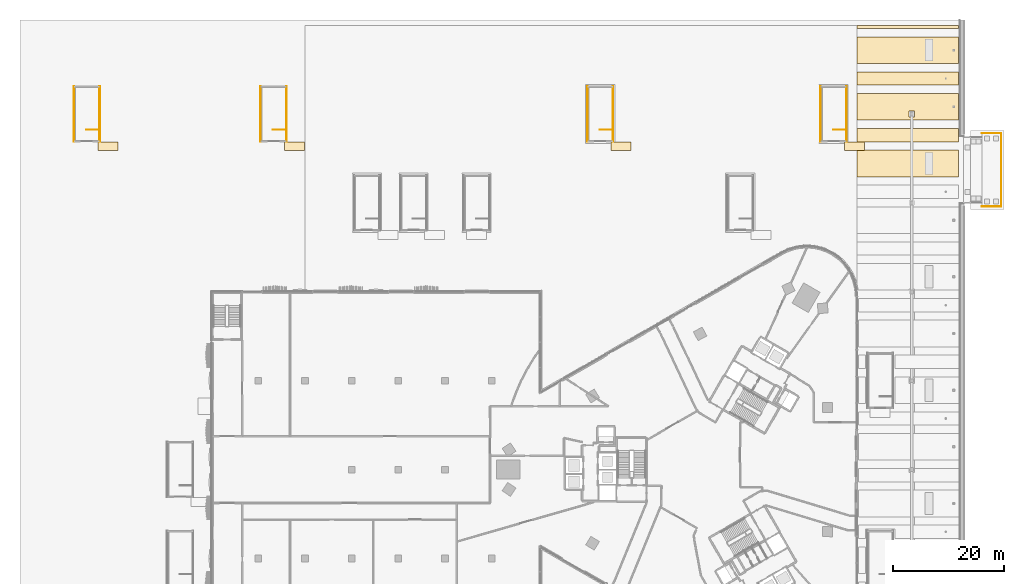
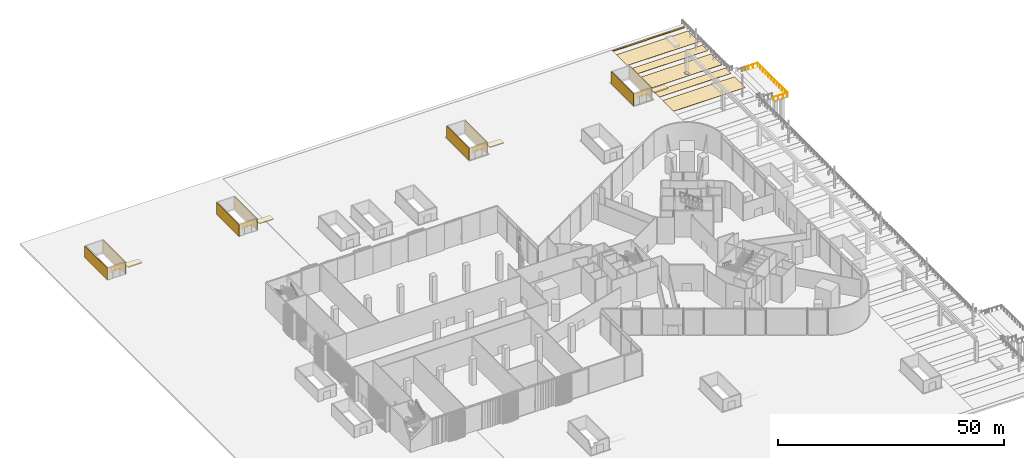
# One storey, part 39 of 41: 18 coverings, 5 railings.
"""IFC4 building model written with IfcOpenShell, lengths in metres."""

from ifc_helpers import new_model, si_unit, direction, frame, origin, origin_2d, place, context, subcontext, project, spatial, polyline, rectangle, circle, outline, extrude, material, layer, layer_set, type_object, element, save


model = new_model("IFC4")

# Units and contexts
model_context = context("Model", 3, precision=1e-05, world=origin(), true_north=direction((0.0, 1.0)))
body_context = subcontext(model_context, "Body", "Model", "MODEL_VIEW")
ifc_project = project(units=[si_unit("LENGTHUNIT", "METRE"), si_unit("AREAUNIT", "SQUARE_METRE"), si_unit("VOLUMEUNIT", "CUBIC_METRE"), si_unit("PLANEANGLEUNIT", "RADIAN"), si_unit("MASSUNIT", "GRAM", prefix="KILO")], contexts=[model_context])

# Site, building, storey
site_placement = place(None, origin())
site = spatial("IfcSite", under=ifc_project, at=site_placement, CompositionType="ELEMENT")
building_placement = place(site_placement, origin())
building = spatial("IfcBuilding", under=site, at=building_placement, Name="Tamra Quay Hotel Tower", CompositionType="ELEMENT")
storey_placement = place(building_placement, origin())
storey = spatial("IfcBuildingStorey", under=building, at=storey_placement, Name="L00", CompositionType="ELEMENT", Elevation=0.0)

# Railings
ifc_material_1 = material(Name="Basement stair guard 1100")
railing_type_1 = type_object("IfcRailingType", Name="Basement stair guard 1100", PredefinedType="GUARDRAIL", material=ifc_material_1)
railing_1_placement = place(storey_placement, frame((-109.5, 61.14990234375, 0.0)))
element("IfcRailing", 1, at=railing_1_placement, inside=storey, type_object=railing_type_1, Name="BSG", PredefinedType="GUARDRAIL", context=body_context, shape_type="SweptSolid", body=[
    extrude(circle(Radius=0.02392578125, at=origin_2d()), frame((0.0, 0.0, 1.076171875), z_axis=(-1.0, 0.0, 0.0), x_axis=(0.0, -1.0, 0.0)), (0.0, 0.0, 1.0), 2.14990234375),
    extrude(circle(Radius=0.02099609375, at=origin_2d()), origin(), (0.0, 0.0, 1.0), 1.052001953125),
    extrude(circle(Radius=0.02099609375, at=origin_2d()), frame((-1.074951171875, 0.0, 0.0)), (0.0, 0.0, 1.0), 1.052001953125),
    extrude(circle(Radius=0.02099609375, at=origin_2d()), frame((-2.14990234375, 0.0, 0.0)), (0.0, 0.0, 1.0), 1.052001953125),
])
railing_2_placement = place(storey_placement, frame((-75.89990234375, 61.14990234375, 0.0)))
element("IfcRailing", 2, at=railing_2_placement, inside=storey, type_object=railing_type_1, Name="BSG", PredefinedType="GUARDRAIL", context=body_context, shape_type="SweptSolid", body=[
    extrude(circle(Radius=0.02392578125, at=origin_2d()), frame((0.0, 0.0, 1.076171875), z_axis=(-1.0, 0.0, 0.0), x_axis=(0.0, -1.0, 0.0)), (0.0, 0.0, 1.0), 2.150146484375),
    extrude(circle(Radius=0.02099609375, at=origin_2d()), origin(), (0.0, 0.0, 1.0), 1.052001953125),
    extrude(circle(Radius=0.02099609375, at=origin_2d()), frame((-1.0751953125, 0.0, 0.0)), (0.0, 0.0, 1.0), 1.052001953125),
    extrude(circle(Radius=0.02099609375, at=origin_2d()), frame((-2.150146484375, 0.0, 0.0)), (0.0, 0.0, 1.0), 1.052001953125),
])
for number, where, name in (
    (3, (-17.10009765625, 61.14990234375, 0.0), "BSG"),
    (4, (24.89990234375, 61.14990234375, 0.0), "BSG"),
):
    element("IfcRailing", number, at=place(storey_placement, frame(where)), inside=storey, type_object=railing_type_1, Name=name, PredefinedType="GUARDRAIL", context=body_context, shape_type="SweptSolid", body=[
        extrude(circle(Radius=0.02392578125, at=origin_2d()), frame((0.0, 0.0, 1.076171875), z_axis=(-1.0, 0.0, 0.0), x_axis=(0.0, -1.0, 0.0)), (0.0, 0.0, 1.0), 2.14990234375),
        extrude(circle(Radius=0.02099609375, at=origin_2d()), origin(), (0.0, 0.0, 1.0), 1.052001953125),
        extrude(circle(Radius=0.02099609375, at=origin_2d()), frame((-1.074951171875, 0.0, 0.0)), (0.0, 0.0, 1.0), 1.052001953125),
        extrude(circle(Radius=0.02099609375, at=origin_2d()), frame((-2.14990234375, 0.0, 0.0)), (0.0, 0.0, 1.0), 1.052001953125),
    ])

# Coverings
ifc_material_2 = material(Name="Reinforced concrete M60 with waterproofing membrane", Category="concrete")
ifc_layer_1 = layer(ifc_material_2, 0.25)
ifc_layer_set_1 = layer_set([ifc_layer_1], Name="PAVILION CANOPY SHEET 250")
covering_type_1 = type_object("IfcCoveringType", Name="PAVILION CANOPY SHEET 250", PredefinedType="ROOFING", material=ifc_layer_set_1)
covering_1_placement = place(storey_placement, frame((0.0, 0.0, 2.75)))
element("IfcCovering", 5, at=covering_1_placement, inside=storey, type_object=covering_type_1, Name="Stair pavilion BS2 door canopy", PredefinedType="ROOFING", context=body_context, shape_type="SweptSolid", body=[
    extrude(outline(polyline([(-109.60009765625, 59.0), (-106.0, 59.0), (-106.0, 57.39990234375), (-109.60009765625, 57.39990234375), (-109.60009765625, 59.0)])), origin(), (0.0, 0.0, 1.0), 0.25),
])
covering_2_placement = place(storey_placement, frame((0.0, 0.0, 2.75)))
element("IfcCovering", 6, at=covering_2_placement, inside=storey, type_object=covering_type_1, Name="Stair pavilion BS5 door canopy", PredefinedType="ROOFING", context=body_context, shape_type="SweptSolid", body=[
    extrude(outline(polyline([(-76.0, 59.0), (-72.39990234375, 59.0), (-72.39990234375, 57.39990234375), (-76.0, 57.39990234375), (-76.0, 59.0)])), origin(), (0.0, 0.0, 1.0), 0.25),
])
covering_3_placement = place(storey_placement, frame((0.0, 0.0, 2.75)))
element("IfcCovering", 7, at=covering_3_placement, inside=storey, type_object=covering_type_1, Name="Stair pavilion BS11 door canopy", PredefinedType="ROOFING", context=body_context, shape_type="SweptSolid", body=[
    extrude(outline(polyline([(-17.199951171875, 59.0), (-13.60009765625, 59.0), (-13.60009765625, 57.39990234375), (-17.199951171875, 57.39990234375), (-17.199951171875, 59.0)])), origin(), (0.0, 0.0, 1.0), 0.25),
])
covering_4_placement = place(storey_placement, frame((0.0, 0.0, 2.75)))
element("IfcCovering", 8, at=covering_4_placement, inside=storey, type_object=covering_type_1, Name="Stair pavilion BS14 door canopy", PredefinedType="ROOFING", context=body_context, shape_type="SweptSolid", body=[
    extrude(outline(polyline([(24.800048828125, 59.0), (28.39990234375, 59.0), (28.39990234375, 57.39990234375), (24.800048828125, 57.39990234375), (24.800048828125, 59.0)])), origin(), (0.0, 0.0, 1.0), 0.25),
])
ifc_material_3 = material(Name="Precast concrete M60 terracotta-coloured pierced relief", Category="masonry")
ifc_layer_2 = layer(ifc_material_3, 0.10009765625)
ifc_layer_set_2 = layer_set([ifc_layer_2], Name="PIERCED RELIEF PANEL 100")
covering_type_2 = type_object("IfcCoveringType", Name="PIERCED RELIEF PANEL 100", PredefinedType="CLADDING", material=ifc_layer_set_2)
for number, where, z_axis, x_axis, name in (
    (9, (-113.89990234375, 64.0, 0.0), (0.0, 0.0, 1.0), (0.0, -1.0, 0.0), "Relief panel BS2.W"),
    (10, (-109.25, 64.0, 0.0), (0.0, 0.0, 1.0), (0.0, 1.0, 0.0), "Relief panel BS2.E"),
    (11, (-80.300048828125, 64.0, 0.0), (0.0, 0.0, 1.0), (0.0, -1.0, 0.0), "Relief panel BS5.W"),
    (12, (-75.64990234375, 64.0, 0.0), (0.0, 0.0, 1.0), (0.0, 1.0, 0.0), "Relief panel BS5.E"),
    (13, (-21.5, 64.0, 0.0), (0.0, 0.0, 1.0), (0.0, -1.0, 0.0), "Relief panel BS11.W"),
    (14, (-16.85009765625, 64.0, 0.0), (0.0, 0.0, 1.0), (0.0, 1.0, 0.0), "Relief panel BS11.E"),
    (15, (20.5, 64.0, 0.0), (0.0, 0.0, 1.0), (0.0, -1.0, 0.0), "Relief panel BS14.W"),
    (16, (25.14990234375, 64.0, 0.0), (0.0, 0.0, 1.0), (0.0, 1.0, 0.0), "Relief panel BS14.E"),
):
    element("IfcCovering", number, at=place(storey_placement, frame(where, z_axis=z_axis, x_axis=x_axis)), inside=storey, type_object=covering_type_2, Name=name, PredefinedType="CLADDING", context=body_context, shape_type="SweptSolid", body=[
        extrude(rectangle(XDim=9.97998046875, YDim=0.10009765625, at=origin_2d()), origin(), (0.0, 0.0, 1.0), 3.199951171875),
    ])
ifc_material_4 = material(Name="Limestone flagstone paving light grey", Category="masonry")
ifc_layer_3 = layer(ifc_material_4, 0.06005859375)
ifc_layer_set_3 = layer_set([ifc_layer_3], Name="PROMENADE PAVING 60")
covering_type_3 = type_object("IfcCoveringType", Name="PROMENADE PAVING 60", PredefinedType="USERDEFINED", material=ifc_layer_set_3)
covering_5_placement = place(storey_placement, origin())
element("IfcCovering", 17, at=covering_5_placement, inside=storey, type_object=covering_type_3, Name="Tamra Quay Promenade paving strip.27", ObjectType="PAVING", PredefinedType="USERDEFINED", context=body_context, shape_type="SweptSolid", body=[
    extrude(outline(polyline([(27.0, 57.5), (27.0, 52.699951171875), (45.300048828125, 52.699951171875), (45.300048828125, 57.5), (27.0, 57.5)])), origin(), (0.0, 0.0, 1.0), 0.06005859375),
])
covering_6_placement = place(storey_placement, origin())
element("IfcCovering", 18, at=covering_6_placement, inside=storey, type_object=covering_type_3, Name="Tamra Quay Promenade paving strip.28", ObjectType="PAVING", PredefinedType="USERDEFINED", context=body_context, shape_type="SweptSolid", body=[
    extrude(outline(polyline([(27.0, 61.39990234375), (27.0, 59.0), (45.300048828125, 59.0), (45.300048828125, 61.39990234375), (27.0, 61.39990234375)])), origin(), (0.0, 0.0, 1.0), 0.06005859375),
])
covering_7_placement = place(storey_placement, origin())
element("IfcCovering", 19, at=covering_7_placement, inside=storey, type_object=covering_type_3, Name="Tamra Quay Promenade paving strip.29", ObjectType="PAVING", PredefinedType="USERDEFINED", context=body_context, shape_type="SweptSolid", body=[
    extrude(outline(polyline([(27.0, 67.699951171875), (27.0, 62.89990234375), (45.300048828125, 62.89990234375), (45.300048828125, 67.699951171875), (27.0, 67.699951171875)]), holes=[polyline([(36.39990234375, 64.5), (36.39990234375, 63.5), (37.39990234375, 63.5), (37.39990234375, 64.5), (36.39990234375, 64.5)])]), origin(), (0.0, 0.0, 1.0), 0.06005859375),
])
covering_8_placement = place(storey_placement, origin())
element("IfcCovering", 20, at=covering_8_placement, inside=storey, type_object=covering_type_3, Name="Tamra Quay Promenade paving strip.30", ObjectType="PAVING", PredefinedType="USERDEFINED", context=body_context, shape_type="SweptSolid", body=[
    extrude(outline(polyline([(27.0, 71.60009765625), (27.0, 69.199951171875), (45.300048828125, 69.199951171875), (45.300048828125, 71.60009765625), (27.0, 71.60009765625)])), origin(), (0.0, 0.0, 1.0), 0.06005859375),
])
covering_9_placement = place(storey_placement, origin())
element("IfcCovering", 21, at=covering_9_placement, inside=storey, type_object=covering_type_3, Name="Tamra Quay Promenade paving strip.31", ObjectType="PAVING", PredefinedType="USERDEFINED", context=body_context, shape_type="SweptSolid", body=[
    extrude(outline(polyline([(27.0, 77.89990234375), (27.0, 73.10009765625), (45.300048828125, 73.10009765625), (45.300048828125, 77.89990234375), (27.0, 77.89990234375)])), origin(), (0.0, 0.0, 1.0), 0.06005859375),
])
covering_10_placement = place(storey_placement, origin())
element("IfcCovering", 22, at=covering_10_placement, inside=storey, type_object=covering_type_3, Name="Tamra Quay Promenade paving strip.32", ObjectType="PAVING", PredefinedType="USERDEFINED", context=body_context, shape_type="SweptSolid", body=[
    extrude(outline(polyline([(27.0, 79.89990234375), (27.0, 79.39990234375), (45.300048828125, 79.39990234375), (45.300048828125, 79.89990234375), (27.0, 79.89990234375)])), origin(), (0.0, 0.0, 1.0), 0.06005859375),
])

# Railing
ifc_material_5 = material(Name="Stainless steel balustrade", Category="steel")
railing_type_2 = type_object("IfcRailingType", Name="QUAY EDGE GUARD 1100", PredefinedType="GUARDRAIL", material=ifc_material_5)
railing_3_placement = place(storey_placement, frame((49.5, 47.3330078125, -1.800048828125)))
element("IfcRailing", 23, at=railing_3_placement, inside=storey, type_object=railing_type_2, Name="GR3", PredefinedType="GUARDRAIL", context=body_context, shape_type="SweptSolid", body=[
    extrude(circle(Radius=0.02392578125, at=origin_2d()), frame((0.0, 0.0, 1.076171875), z_axis=(1.0, 0.0, 0.0), x_axis=(0.0, 1.0, 0.0)), (0.0, 0.0, 1.0), 3.5),
    extrude(circle(Radius=0.02392578125, at=origin_2d()), frame((3.5, 0.0, 1.076171875), z_axis=(0.0, 1.0, 0.0), x_axis=(-1.0, 0.0, 0.0)), (0.0, 0.0, 1.0), 13.199951171875),
    extrude(circle(Radius=0.02392578125, at=origin_2d()), frame((3.5, 13.199951171875, 1.076171875), z_axis=(-1.0, 0.0, 0.0), x_axis=(0.0, -1.0, 0.0)), (0.0, 0.0, 1.0), 3.5),
    extrude(circle(Radius=0.02099609375, at=origin_2d()), origin(), (0.0, 0.0, 1.0), 1.052001953125),
    extrude(circle(Radius=0.02099609375, at=origin_2d()), frame((1.166748046875, 0.0, 0.0)), (0.0, 0.0, 1.0), 1.052001953125),
    extrude(circle(Radius=0.02099609375, at=origin_2d()), frame((2.333251953125, 0.0, 0.0)), (0.0, 0.0, 1.0), 1.052001953125),
    extrude(circle(Radius=0.02099609375, at=origin_2d()), frame((3.5, 0.0, 0.0)), (0.0, 0.0, 1.0), 1.052001953125),
    extrude(circle(Radius=0.02099609375, at=origin_2d()), frame((3.5, 1.199951171875, 0.0)), (0.0, 0.0, 1.0), 1.052001953125),
    extrude(circle(Radius=0.02099609375, at=origin_2d()), frame((3.5, 2.39990234375, 0.0)), (0.0, 0.0, 1.0), 1.052001953125),
    extrude(circle(Radius=0.02099609375, at=origin_2d()), frame((3.5, 3.60009765625, 0.0)), (0.0, 0.0, 1.0), 1.052001953125),
    extrude(circle(Radius=0.02099609375, at=origin_2d()), frame((3.5, 4.800048828125, 0.0)), (0.0, 0.0, 1.0), 1.052001953125),
    extrude(circle(Radius=0.02099609375, at=origin_2d()), frame((3.5, 6.0, 0.0)), (0.0, 0.0, 1.0), 1.052001953125),
    extrude(circle(Radius=0.02099609375, at=origin_2d()), frame((3.5, 7.199951171875, 0.0)), (0.0, 0.0, 1.0), 1.052001953125),
    extrude(circle(Radius=0.02099609375, at=origin_2d()), frame((3.5, 8.39990234375, 0.0)), (0.0, 0.0, 1.0), 1.052001953125),
    extrude(circle(Radius=0.02099609375, at=origin_2d()), frame((3.5, 9.599853515625, 0.0)), (0.0, 0.0, 1.0), 1.052001953125),
    extrude(circle(Radius=0.02099609375, at=origin_2d()), frame((3.5, 10.800048828125, 0.0)), (0.0, 0.0, 1.0), 1.052001953125),
    extrude(circle(Radius=0.02099609375, at=origin_2d()), frame((3.5, 12.0, 0.0)), (0.0, 0.0, 1.0), 1.052001953125),
    extrude(circle(Radius=0.02099609375, at=origin_2d()), frame((3.5, 13.199951171875, 0.0)), (0.0, 0.0, 1.0), 1.052001953125),
    extrude(circle(Radius=0.02099609375, at=origin_2d()), frame((2.333251953125, 13.199951171875, 0.0)), (0.0, 0.0, 1.0), 1.052001953125),
    extrude(circle(Radius=0.02099609375, at=origin_2d()), frame((1.166748046875, 13.199951171875, 0.0)), (0.0, 0.0, 1.0), 1.052001953125),
    extrude(circle(Radius=0.02099609375, at=origin_2d()), frame((0.0, 13.199951171875, 0.0)), (0.0, 0.0, 1.0), 1.052001953125),
])

save(model, "model.ifc")
